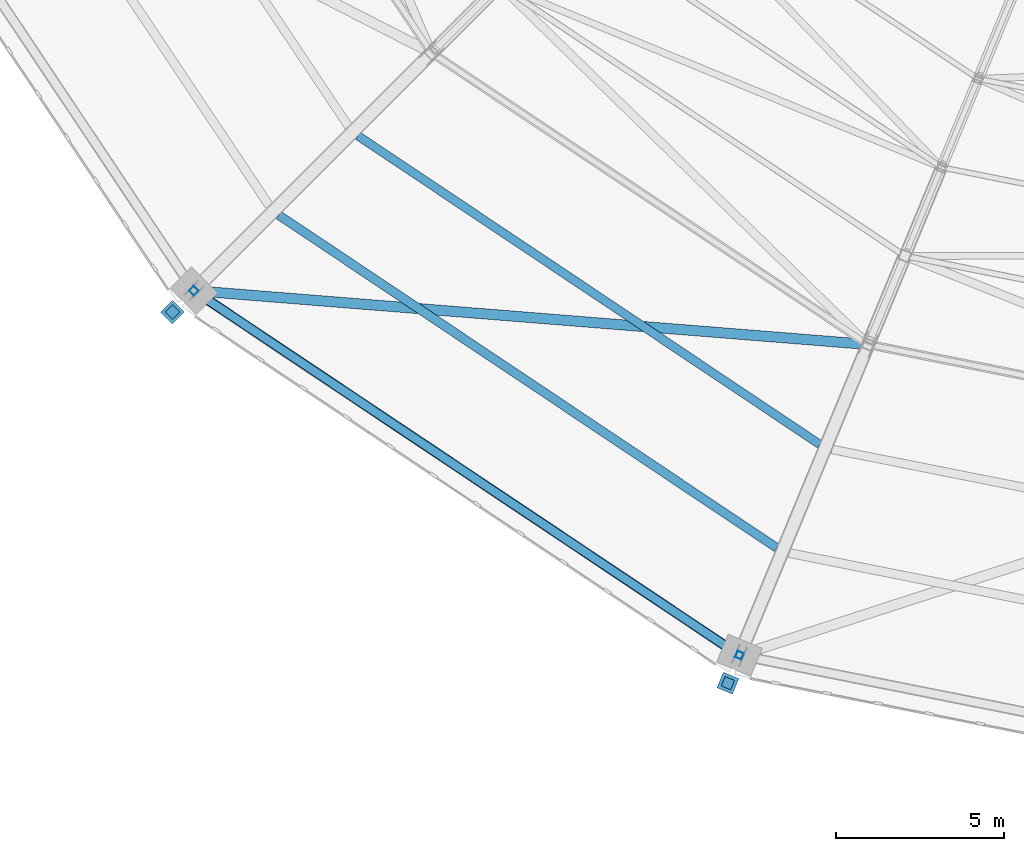
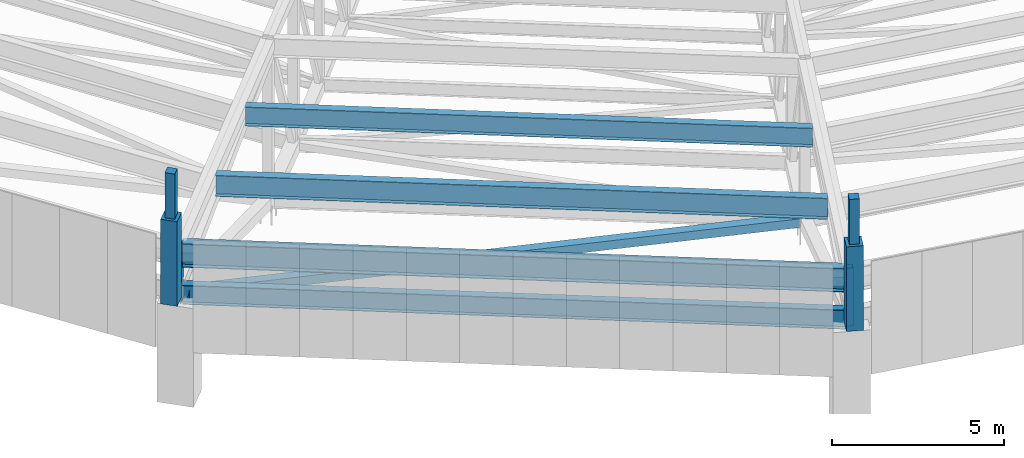
# One storey, part 2 of 278: 9 members, 2 beams.
"""IFC4 building model written with IfcOpenShell, lengths in metres."""

import ifcopenshell
import ifcopenshell.guid

model = None  # the IFC model being written
_history = None  # IfcOwnerHistory: only IFC2X3 demands one
_inside = {}  # id of a spatial element -> (the spatial element, [elements in it])
_under = {}  # id of a project, library or spatial element -> (it, [spatial elements below it])
_declared = {}  # id of a project -> (the project, [libraries it declares])
_typed = {}  # id of a type object -> (the type object, [elements of that type])
_made_of = {}  # id of a material, layer set ... -> (it, [elements and type objects made of it])


def new_model(schema):
    """Start an empty IFC model of exactly this schema.

    Asked for "IFC4X3", IfcOpenShell would pick the latest addendum, in which some entities
    have other attributes; the version numbers below select the first issue.
    IFC2X3 requires an IfcOwnerHistory on every rooted entity: one is made here for all.
    """
    global model, _history
    if schema == "IFC4X3":
        model = ifcopenshell.file(schema_version=(4, 3, 0, 0))
    else:
        model = ifcopenshell.file(schema=schema)
    _inside.clear()
    _under.clear()
    _declared.clear()
    _typed.clear()
    _made_of.clear()
    _history = None
    if model.schema == "IFC2X3":
        org = make("IfcOrganization", Name="unknown")
        user = make(
            "IfcPersonAndOrganization",
            ThePerson=make("IfcPerson", FamilyName="unknown"),
            TheOrganization=org,
        )
        app = make(
            "IfcApplication",
            ApplicationDeveloper=org,
            Version="unknown",
            ApplicationFullName="unknown",
            ApplicationIdentifier="unknown",
        )
        _history = make(
            "IfcOwnerHistory",
            OwningUser=user,
            OwningApplication=app,
            ChangeAction="ADDED",
            CreationDate=0,
        )
    return model


def make(cls, **values):
    """One entity of the class cls with the attributes given. An attribute that is None is left unset."""
    return model.create_entity(
        cls, **{name: value for name, value in values.items() if value is not None}
    )


def rooted(cls, **values):
    """An entity with a GlobalId (a new one), such as an element, a storey or a relation."""
    return make(cls, GlobalId=ifcopenshell.guid.new(), OwnerHistory=_history, **values)


def si_unit(unit_type, name, prefix=None):
    """IfcSIUnit, for example si_unit("LENGTHUNIT", "METRE", prefix="MILLI")."""
    return make("IfcSIUnit", UnitType=unit_type, Prefix=prefix, Name=name)


def assignment(units):
    """IfcUnitAssignment: the units of a project."""
    return None if units is None else make("IfcUnitAssignment", Units=units)


def point(xyz):
    """IfcCartesianPoint."""
    return None if xyz is None else make("IfcCartesianPoint", Coordinates=xyz)


def direction(xyz):
    """IfcDirection."""
    return None if xyz is None else make("IfcDirection", DirectionRatios=xyz)


def frame(location, z_axis=None, x_axis=None):
    """IfcAxis2Placement3D, a coordinate frame: its origin and axes. An axis left out is left unset."""
    return make(
        "IfcAxis2Placement3D",
        Location=point(location),
        Axis=direction(z_axis),
        RefDirection=direction(x_axis),
    )


def frame_2d(location, x_axis=None):
    """IfcAxis2Placement2D, a coordinate frame in the plane: its origin and x axis."""
    return make(
        "IfcAxis2Placement2D", Location=point(location), RefDirection=direction(x_axis)
    )


def origin():
    """The frame at (0, 0, 0) with its axes left unset."""
    return frame((0.0, 0.0, 0.0))


def origin_2d():
    """The frame at (0, 0) in the plane with its x axis left unset."""
    return frame_2d((0.0, 0.0))


def place(relative_to, where):
    """IfcLocalPlacement: puts the frame where relative to a parent placement (None: the world)."""
    return make(
        "IfcLocalPlacement", PlacementRelTo=relative_to, RelativePlacement=where
    )


def context(
    kind, dimensions, precision=None, world=None, true_north=None, identifier=None
):
    """IfcGeometricRepresentationContext, for example the 3D "Model" context."""
    return make(
        "IfcGeometricRepresentationContext",
        ContextIdentifier=identifier,
        ContextType=kind,
        CoordinateSpaceDimension=dimensions,
        Precision=precision,
        WorldCoordinateSystem=world,
        TrueNorth=true_north,
    )


def subcontext(parent, identifier, kind, view, scale=None):
    """IfcGeometricRepresentationSubContext, for example "Body" below "Model"."""
    return make(
        "IfcGeometricRepresentationSubContext",
        ContextIdentifier=identifier,
        ContextType=kind,
        ParentContext=parent,
        TargetScale=scale,
        TargetView=view,
    )


def project(units=None, contexts=None):
    """IfcProject with its units and contexts."""
    return rooted(
        "IfcProject",
        Name="project",
        RepresentationContexts=contexts,
        UnitsInContext=assignment(units),
    )


def spatial(cls, under=None, at=None, **own):
    """A site, building, storey or space (cls), placed at a placement, below another one or the project."""
    s = rooted(cls, ObjectPlacement=at, **own)
    if under is not None:
        _under.setdefault(under.id(), (under, []))[1].append(s)
    return s


def profile(cls, at=None, kind="AREA", **sizes):
    """A parametric profile (cls). Its sizes go by their IFC names, for example OverallWidth=200.0."""
    return make(cls, ProfileType=kind, Position=at, **sizes)


def rectangle(**sizes):
    """IfcRectangleProfileDef."""
    return profile("IfcRectangleProfileDef", **sizes)


def hollow_rectangle(**sizes):
    """IfcRectangleHollowProfileDef."""
    return profile("IfcRectangleHollowProfileDef", **sizes)


def i_section(**sizes):
    """IfcIShapeProfileDef."""
    return profile("IfcIShapeProfileDef", **sizes)


def extrude(swept, where, along, depth):
    """IfcExtrudedAreaSolid: the profile swept, set in the frame where, extruded along a direction by depth."""
    return make(
        "IfcExtrudedAreaSolid",
        SweptArea=swept,
        Position=where,
        ExtrudedDirection=direction(along),
        Depth=depth,
    )


def shape(context_of_items, identifier, shape_type, items):
    """IfcShapeRepresentation: the items that make up one representation, for example the "Body"."""
    return make(
        "IfcShapeRepresentation",
        ContextOfItems=context_of_items,
        RepresentationIdentifier=identifier,
        RepresentationType=shape_type,
        Items=items,
    )


def material(Name=None, Category=None):
    """IfcMaterial."""
    return make("IfcMaterial", Name=Name, Category=Category)


def material_profile(
    of_material, cross_section, Name=None, Category=None, Priority=None
):
    """IfcMaterialProfile: a cross section and its material."""
    return make(
        "IfcMaterialProfile",
        Name=Name,
        Material=of_material,
        Profile=cross_section,
        Priority=Priority,
        Category=Category,
    )


def profile_set(profiles, Name=None, composite=None):
    """IfcMaterialProfileSet."""
    return make(
        "IfcMaterialProfileSet",
        Name=Name,
        MaterialProfiles=profiles,
        CompositeProfile=composite,
    )


def made_of(thing, what):
    """Note that an element or type object is made of a material, layer set ...; save() writes the relation."""
    if what is not None:
        _made_of.setdefault(what.id(), (what, []))[1].append(thing)
    return thing


def type_object(cls, material=None, **own):
    """A type object (cls), such as IfcWallType, which elements share."""
    return made_of(rooted(cls, **own), material)


def element(
    cls,
    number,
    at=None,
    inside=None,
    cuts=None,
    type_object=None,
    material=None,
    context=None,
    identifier="Body",
    shape_type=None,
    held_by="IfcProductDefinitionShape",
    body=None,
    shapes=None,
    **own,
):
    """One element of the class cls, such as IfcWall. Its Tag is "e" and its number.

    at: its placement. inside: the storey or other place that contains it. cuts: it is an
    opening in that element (IfcRelVoidsElement). A single representation is given by context,
    identifier, shape_type and body (its items); several are given by shapes. held_by: the class
    of the entity that holds the representations. save() writes the other relations.
    """
    e = rooted(cls, Tag="e%d" % number, ObjectPlacement=at, **own)
    if body is not None:
        shapes = [shape(context, identifier, shape_type, body)]
    if shapes is not None:
        e.Representation = make(held_by, Representations=shapes)
    if inside is not None:
        _inside.setdefault(inside.id(), (inside, []))[1].append(e)
    if cuts is not None:
        rooted(
            "IfcRelVoidsElement", RelatingBuildingElement=cuts, RelatedOpeningElement=e
        )
    if type_object is not None:
        _typed.setdefault(type_object.id(), (type_object, []))[1].append(e)
    return made_of(e, material)


def aggregate(whole, parts):
    """IfcRelAggregates: a whole, such as a stair, and the parts it consists of."""
    return rooted("IfcRelAggregates", RelatingObject=whole, RelatedObjects=parts)


def save(model, path):
    """Write the relations noted so far, then the file.

    IfcRelAggregates (storeys below a building ...), IfcRelContainedInSpatialStructure (elements
    in a storey), IfcRelDefinesByType, IfcRelAssociatesMaterial and IfcRelDeclares: one each for
    every whole, place, type object, material and project.
    """
    for whole, parts in _under.values():
        aggregate(whole, parts)
    for where, things in _inside.values():
        rooted(
            "IfcRelContainedInSpatialStructure",
            RelatedElements=things,
            RelatingStructure=where,
        )
    for kind, things in _typed.values():
        rooted("IfcRelDefinesByType", RelatedObjects=things, RelatingType=kind)
    for what, things in _made_of.values():
        rooted("IfcRelAssociatesMaterial", RelatedObjects=things, RelatingMaterial=what)
    for by, libraries in _declared.values():
        rooted("IfcRelDeclares", RelatingContext=by, RelatedDefinitions=libraries)
    model.write(path)


model = new_model("IFC4")

# Units and contexts
model_context = context("Model", 3, precision=1e-05, world=origin(), true_north=direction((0.0, 1.0)))
body_context = subcontext(model_context, "Body", "Model", "MODEL_VIEW")
ifc_project = project(units=[si_unit("LENGTHUNIT", "METRE"), si_unit("AREAUNIT", "SQUARE_METRE"), si_unit("VOLUMEUNIT", "CUBIC_METRE"), si_unit("PLANEANGLEUNIT", "RADIAN"), si_unit("MASSUNIT", "GRAM", prefix="KILO")], contexts=[model_context])

# Site, building, storey
site_placement = place(None, origin())
site = spatial("IfcSite", under=ifc_project, at=site_placement, CompositionType="ELEMENT")
building_placement = place(site_placement, origin())
building = spatial("IfcBuilding", under=site, at=building_placement, Name="Ogive Plaza Stadium", CompositionType="ELEMENT")
storey_placement = place(building_placement, frame((0.0, 0.0, 29.0)))
storey = spatial("IfcBuildingStorey", under=building, at=storey_placement, Name="Roof", CompositionType="ELEMENT", Elevation=29.0)

# Members
ifc_material_1 = material(Name="Concrete C45/55 precast", Category="concrete")
ifc_material_profile_1 = material_profile(ifc_material_1, rectangle(XDim=0.5, YDim=0.5, at=origin_2d()), Name="RC 500x500")
ifc_profile_set_1 = profile_set([ifc_material_profile_1], Name="Concrete C45/55 precast")
member_type_1 = type_object("IfcMemberType", Name="Precast pinnacle 500x500", PredefinedType="POST", material=ifc_profile_set_1)
for number, where, z_axis, x_axis, name in (
    (1, (-53.478515625, -99.525390625, 4.0), (0.0, 0.0, 1.0), (0.923879532511, -0.382683432365, 0.0), "PINNACLE R18"),
    (2, (-69.99169921875, -88.49169921875, 4.0), (0.0, 0.0, 1.0), (0.707106781187, -0.707106781187, 0.0), "PINNACLE R19"),
):
    element("IfcMember", number, at=place(storey_placement, frame(where, z_axis=z_axis, x_axis=x_axis)), inside=storey, type_object=member_type_1, Name=name, PredefinedType="POST", context=body_context, shape_type="SweptSolid", body=[
        extrude(rectangle(XDim=0.5, YDim=0.5, at=origin_2d()), origin(), (0.0, 0.0, 1.0), 3.0),
    ])
ifc_material_2 = material(Name="Concrete C45/55 precast", Category="concrete")
ifc_material_profile_2 = material_profile(ifc_material_2, rectangle(XDim=0.300048828125, YDim=0.300048828125, at=origin_2d()), Name="RC 300x300")
ifc_profile_set_2 = profile_set([ifc_material_profile_2], Name="Concrete C45/55 precast")
member_type_2 = type_object("IfcMemberType", Name="Precast spire 300x300", PredefinedType="MEMBER", material=ifc_profile_set_2)
for number, where, z_axis, x_axis, name in (
    (3, (-53.478515625, -99.525390625, 7.0), (0.0, 0.0, 1.0), (0.923879532511, -0.382683432365, 0.0), "SPIRE R18"),
    (4, (-69.99169921875, -88.49169921875, 7.0), (0.0, 0.0, 1.0), (0.707106781187, -0.707106781187, 0.0), "SPIRE R19"),
):
    element("IfcMember", number, at=place(storey_placement, frame(where, z_axis=z_axis, x_axis=x_axis)), inside=storey, type_object=member_type_2, Name=name, PredefinedType="MEMBER", context=body_context, shape_type="SweptSolid", body=[
        extrude(rectangle(XDim=0.300048828125, YDim=0.300048828125, at=origin_2d()), origin(), (0.0, 0.0, 1.0), 1.60009765625),
    ])
ifc_material_3 = material(Name="Steel ASTM A500 Grade C", Category="steel")
ifc_material_profile_3 = material_profile(ifc_material_3, hollow_rectangle(XDim=0.3046875, YDim=0.3046875, WallThickness=0.0087890625, at=origin_2d()), Name="HSS12X12X3/8")
ifc_profile_set_3 = profile_set([ifc_material_profile_3], Name="Steel ASTM A500 Grade C")
member_type_3 = type_object("IfcMemberType", Name="Roof plan brace HSS12X12X3/8", PredefinedType="BRACE", material=ifc_profile_set_3)
member_1_placement = place(storey_placement, frame((-49.486328125, -89.44091796875, 0.234130859375), z_axis=(-0.982279512354, 0.078381095725, 0.170245010036), x_axis=(-0.07954227259, -0.99683149372, 0.0)))
element("IfcMember", 5, at=member_1_placement, inside=storey, type_object=member_type_3, Name="ROOF BRACE B18 11", PredefinedType="BRACE", context=body_context, shape_type="SweptSolid", body=[
    extrude(hollow_rectangle(XDim=0.3046875, YDim=0.3046875, WallThickness=0.0087890625, at=origin_2d()), origin(), (0.0, 0.0, 1.0), 19.99072265625),
])
ifc_material_4 = material(Name="Steel ASTM A992 Grade 50", Category="steel")
ifc_material_profile_4 = material_profile(ifc_material_4, i_section(OverallWidth=0.2529296875, OverallDepth=0.678466796875, WebThickness=0.01171875, FlangeThickness=0.016357421875, at=origin_2d()), Name="W27X84")
ifc_profile_set_4 = profile_set([ifc_material_profile_4], Name="Steel ASTM A992 Grade 50")
member_type_4 = type_object("IfcMemberType", Name="Roof plan strut W27X84", PredefinedType="STRUT", material=ifc_profile_set_4)
member_2_placement = place(storey_placement, frame((-53.21630859375, -98.63916015625, 3.677734375), z_axis=(-0.831466346809, 0.555575120146, 0.0), x_axis=(-0.555575120146, -0.831466346809, 0.0)))
element("IfcMember", 6, at=member_2_placement, inside=storey, type_object=member_type_4, Name="ROOF STRUT B18 11", PredefinedType="STRUT", context=body_context, shape_type="SweptSolid", body=[
    extrude(i_section(OverallWidth=0.2529296875, OverallDepth=0.678466796875, WebThickness=0.01171875, FlangeThickness=0.016357421875, at=origin_2d()), origin(), (0.0, 0.0, 1.0), 19.3115234375),
])
ifc_material_5 = material(Name="Steel ASTM A992 Grade 50", Category="steel")
ifc_material_profile_5 = material_profile(ifc_material_5, i_section(OverallWidth=0.2529296875, OverallDepth=0.678466796875, WebThickness=0.01171875, FlangeThickness=0.016357421875, at=origin_2d()), Name="W27X84")
ifc_profile_set_5 = profile_set([ifc_material_profile_5], Name="Steel ASTM A992 Grade 50")
member_type_5 = type_object("IfcMemberType", Name="Roof purlin W27X84", PredefinedType="PURLIN", material=ifc_profile_set_5)
member_3_placement = place(storey_placement, frame((-50.751220703125, -92.42236328125, 5.494140625), z_axis=(-0.831469477981, 0.555570434046, 0.0), x_axis=(-0.555570434046, -0.831469477981, 0.0)))
element("IfcMember", 7, at=member_3_placement, inside=storey, type_object=member_type_5, Name="ROOF PURLIN B18 11", PredefinedType="PURLIN", context=body_context, shape_type="SweptSolid", body=[
    extrude(i_section(OverallWidth=0.2529296875, OverallDepth=0.678466796875, WebThickness=0.01171875, FlangeThickness=0.016357421875, at=origin_2d()), origin(), (0.0, 0.0, 1.0), 16.503173828125),
])
ifc_material_6 = material(Name="Steel ASTM A992 Grade 50", Category="steel")
ifc_material_profile_6 = material_profile(ifc_material_6, i_section(OverallWidth=0.26416015625, OverallDepth=0.75, WebThickness=0.011962890625, FlangeThickness=0.015380859375, at=origin_2d()), Name="W30X90")
ifc_profile_set_6 = profile_set([ifc_material_profile_6], Name="Steel ASTM A992 Grade 50")
member_type_6 = type_object("IfcMemberType", Name="Roof purlin W30X90", PredefinedType="PURLIN", material=ifc_profile_set_6)
member_4_placement = place(storey_placement, frame((-52.02783203125, -95.50146484375, 5.291748046875), z_axis=(-0.831463264893, 0.555579732472, 0.0), x_axis=(-0.555579732472, -0.831463264893, 0.0)))
element("IfcMember", 8, at=member_4_placement, inside=storey, type_object=member_type_6, Name="ROOF PURLIN B18 12", PredefinedType="PURLIN", context=body_context, shape_type="SweptSolid", body=[
    extrude(i_section(OverallWidth=0.26416015625, OverallDepth=0.75, WebThickness=0.011962890625, FlangeThickness=0.015380859375, at=origin_2d()), origin(), (0.0, 0.0, 1.0), 17.801513671875),
])
ifc_material_7 = material(Name="Steel ASTM A992 Grade 50", Category="steel")
ifc_material_profile_7 = material_profile(ifc_material_7, i_section(OverallWidth=0.2919921875, OverallDepth=0.834716796875, WebThickness=0.013916015625, FlangeThickness=0.018798828125, at=origin_2d()), Name="W33X118")
ifc_profile_set_7 = profile_set([ifc_material_profile_7], Name="Steel ASTM A992 Grade 50")
member_type_7 = type_object("IfcMemberType", Name="Roof purlin W33X118", PredefinedType="PURLIN", material=ifc_profile_set_7)
member_5_placement = place(storey_placement, frame((-53.219482421875, -98.636962890625, 5.082763671875), z_axis=(-0.831470010703, 0.55556963677, 0.0), x_axis=(-0.55556963677, -0.831470010703, 0.0)))
element("IfcMember", 9, at=member_5_placement, inside=storey, type_object=member_type_7, Name="ROOF PURLIN B18 13", PredefinedType="PURLIN", context=body_context, shape_type="SweptSolid", body=[
    extrude(i_section(OverallWidth=0.2919921875, OverallDepth=0.834716796875, WebThickness=0.013916015625, FlangeThickness=0.018798828125, at=origin_2d()), origin(), (0.0, 0.0, 1.0), 19.3037109375),
])

# Beams
ifc_material_8 = material(Name="Steel ASTM A500 Grade C", Category="steel")
ifc_material_profile_8 = material_profile(ifc_material_8, hollow_rectangle(XDim=0.203125, YDim=0.203125, WallThickness=0.0087890625, at=origin_2d()), Name="HSS8X8X3/8")
ifc_profile_set_8 = profile_set([ifc_material_profile_8], Name="Steel ASTM A500 Grade C")
beam_type = type_object("IfcBeamType", Name="Roof truss post HSS8X8X3/8", PredefinedType="BEAM", material=ifc_profile_set_8)
for number, where, z_axis, x_axis, name in (
    (10, (-53.13427734375, -98.694091796875, 3.43994140625), (0.0, 0.0, 1.0), (0.923879532511, -0.382683432365, 0.0), "ROOF TRUSS T18 POST 12"),
    (11, (-69.355224609375, -87.855224609375, 3.43994140625), (0.0, 0.0, 1.0), (0.707106781187, -0.707106781187, 0.0), "ROOF TRUSS T19 POST 12"),
):
    element("IfcBeam", number, at=place(storey_placement, frame(where, z_axis=z_axis, x_axis=x_axis)), inside=storey, type_object=beam_type, Name=name, PredefinedType="BEAM", context=body_context, shape_type="SweptSolid", body=[
        extrude(hollow_rectangle(XDim=0.203125, YDim=0.203125, WallThickness=0.0087890625, at=origin_2d()), origin(), (0.0, 0.0, 1.0), 2.06005859375),
    ])

save(model, "model.ifc")
